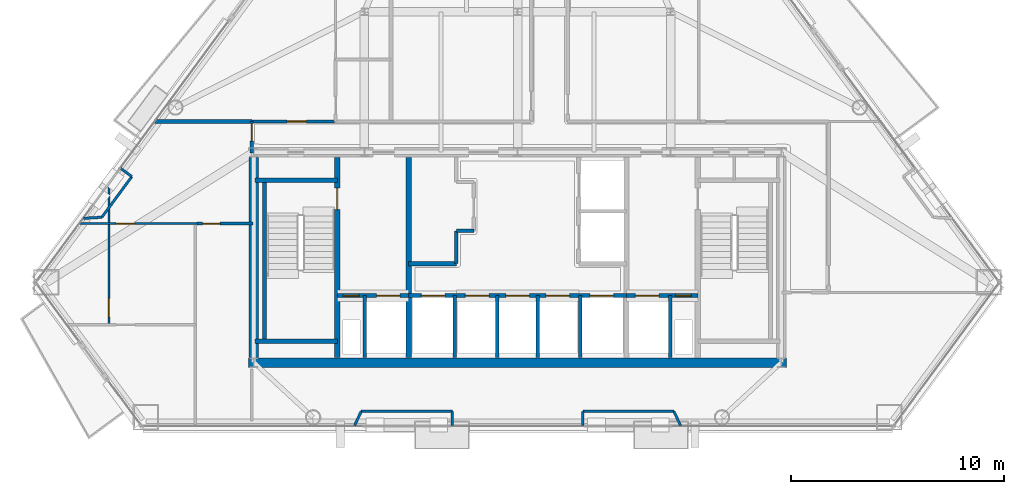
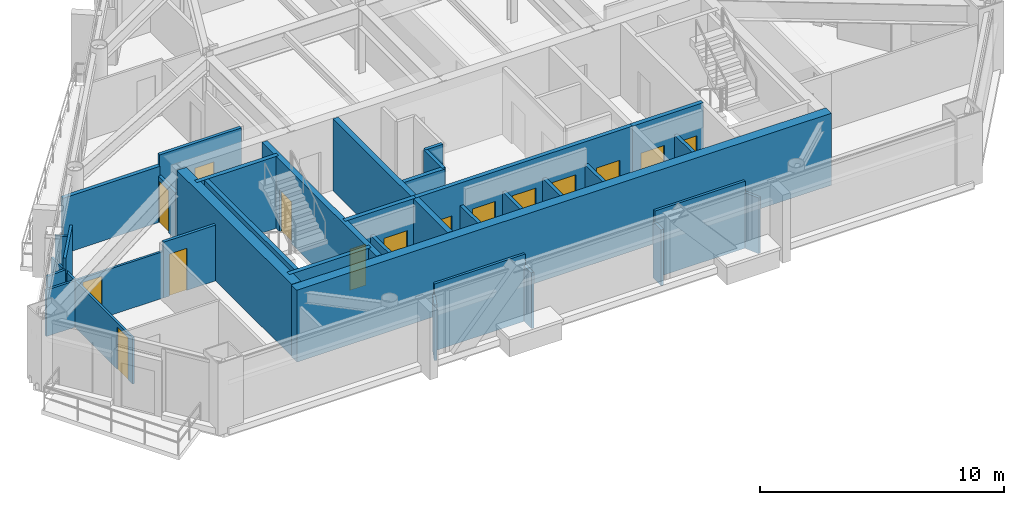
# One storey, part 7 of 11: 34 walls, 15 doors, 15 openings.
"""IFC4 building model written with IfcOpenShell, lengths in metres."""

from ifc_helpers import new_model, si_unit, direction, frame, frame_2d, origin, place, context, subcontext, project, spatial, rectangle, extrude, material, layer, layer_set, type_object, element, fill, save


model = new_model("IFC4")

# Units and contexts
model_context = context("Model", 3, precision=1e-05, world=origin(), true_north=direction((0.0, 1.0)))
body_context = subcontext(model_context, "Body", "Model", "MODEL_VIEW")
ifc_project = project(units=[si_unit("LENGTHUNIT", "METRE"), si_unit("AREAUNIT", "SQUARE_METRE"), si_unit("VOLUMEUNIT", "CUBIC_METRE"), si_unit("PLANEANGLEUNIT", "RADIAN"), si_unit("MASSUNIT", "GRAM", prefix="KILO")], contexts=[model_context])

# Site, building, storey
site_placement = place(None, origin())
site = spatial("IfcSite", under=ifc_project, at=site_placement, CompositionType="ELEMENT")
building_placement = place(site_placement, origin())
building = spatial("IfcBuilding", under=site, at=building_placement, Name="Talgorran Terracotta Tower", CompositionType="ELEMENT")
storey_placement = place(building_placement, frame((0.0, 0.0, 143.699951171875)))
storey = spatial("IfcBuildingStorey", under=building, at=storey_placement, Name="L37", CompositionType="ELEMENT", Elevation=143.699951171875)

# Walls
ifc_material_1 = material(Name="Concrete C50/60", Category="concrete")
ifc_layer_1 = layer(ifc_material_1, 0.199951171875, Name="WT_CORE_200")
ifc_layer_set_1 = layer_set([ifc_layer_1], Name="Concrete C50/60")
wall_type_1 = type_object("IfcWallType", Name="WT_CORE_200", PredefinedType="SOLIDWALL", material=ifc_layer_set_1)
for number, where, z_axis, x_axis, name in (
    (1, (-12.35009765625, -5.52001953125, 0.0), (0.0, 0.0, 1.0), (1.0, 0.0, 0.0), "WL-L37-CW-ST1-N"),
    (2, (-12.35009765625, -13.10009765625, 0.0), (0.0, 0.0, 1.0), (1.0, 0.0, 0.0), "WL-L37-CW-ST1-S"),
):
    element("IfcWall", number, at=place(storey_placement, frame(where, z_axis=z_axis, x_axis=x_axis)), inside=storey, type_object=wall_type_1, Name=name, PredefinedType="SOLIDWALL", context=body_context, shape_type="SweptSolid", body=[
        extrude(rectangle(XDim=3.8701171875, YDim=0.199951171875, at=frame_2d((1.93505859375, 0.0))), origin(), (0.0, 0.0, 1.0), 3.60009765625),
    ])
wall_1_placement = place(storey_placement, frame((-11.89990234375, -13.10009765625, 0.0), z_axis=(0.0, 0.0, 1.0), x_axis=(0.0, 1.0, 0.0)))
element("IfcWall", 3, at=wall_1_placement, inside=storey, type_object=wall_type_1, Name="WL-L37-CW-ST1-W", PredefinedType="SOLIDWALL", context=body_context, shape_type="SweptSolid", body=[
    extrude(rectangle(XDim=7.580078125, YDim=0.199951171875, at=frame_2d((3.7900390625, 0.0))), origin(), (0.0, 0.0, 1.0), 3.60009765625),
])

# Wall, openings, doors
wall_2_placement = place(storey_placement, frame((-8.47998046875, -10.949951171875, 0.0), z_axis=(0.0, 0.0, 1.0), x_axis=(1.0, 0.0, 0.0)))
wall_2 = element("IfcWall", 4, at=wall_2_placement, inside=storey, type_object=wall_type_1, Name="WL-L37-CW-H-SBW", PredefinedType="SOLIDWALL", context=body_context, shape_type="SweptSolid", body=[
    extrude(rectangle(XDim=3.35986328125, YDim=0.199951171875, at=frame_2d((1.679931640625, 0.0))), origin(), (0.0, 0.0, 1.0), 3.60009765625),
])
opening_1_placement = place(wall_2_placement, frame((0.280029296875, 0.0, 0.0)))
opening_1 = element("IfcOpeningElement", 5, at=opening_1_placement, cuts=wall_2, Name="Opening DR-RSW", PredefinedType="OPENING", context=body_context, shape_type="SweptSolid", body=[
    extrude(rectangle(XDim=0.756, YDim=2.054048828125, at=frame_2d((0.375, 1.027099609375))), frame((0.0, 0.10986328125, 0.0), z_axis=(0.0, -1.0, 0.0), x_axis=(1.0, 0.0, 0.0)), (0.0, 0.0, 1.0), 0.219970703125),
])
opening_2_placement = place(wall_2_placement, frame((1.85009765625, 0.0, 0.0)))
opening_2 = element("IfcOpeningElement", 6, at=opening_2_placement, cuts=wall_2, Name="Opening LD-FFL1", PredefinedType="OPENING", context=body_context, shape_type="SweptSolid", body=[
    extrude(rectangle(XDim=1.10609765625, YDim=2.10409765625, at=frame_2d((0.550048828125, 1.052001953125))), frame((0.0, 0.10986328125, 0.0), z_axis=(0.0, -1.0, 0.0), x_axis=(1.0, 0.0, 0.0)), (0.0, 0.0, 1.0), 0.219970703125),
])
ifc_material_2 = material(Name="Brushed Stainless Steel Grade 304", Category="steel")
door_type_1 = type_object("IfcDoorType", Name="DT_LIFT_LD1100", OperationType="DOUBLE_DOOR_SLIDING", PredefinedType="DOOR", material=ifc_material_2)
door_1_placement = place(opening_2_placement, origin())
door_1 = element("IfcDoor", 7, at=door_1_placement, inside=storey, type_object=door_type_1, Name="L37 Lift Landing Door LD-FFL1", OperationType="DOUBLE_DOOR_SLIDING", OverallHeight=2.10009765625, OverallWidth=1.10009765625, PredefinedType="DOOR", context=body_context, shape_type="SweptSolid", body=[
    extrude(rectangle(XDim=1.10009765625, YDim=2.10009765625, at=frame_2d((0.550048828125, 1.050048828125))), frame((0.0, 0.02490234375, 0.0), z_axis=(0.0, -1.0, 0.0), x_axis=(1.0, 0.0, 0.0)), (0.0, 0.0, 1.0), 0.050048828125),
])
fill(opening_2, door_1)
ifc_material_3 = material(Name="Fire-Rated Pressed Steel", Category="steel")
door_type_2 = type_object("IfcDoorType", Name="DT_RISER_750", OperationType="NOTDEFINED", PredefinedType="DOOR", material=ifc_material_3)
door_2_placement = place(opening_1_placement, origin())
door_2 = element("IfcDoor", 8, at=door_2_placement, inside=storey, type_object=door_type_2, Name="DR-RSW", OperationType="SINGLE_SWING_LEFT", OverallHeight=2.050048828125, OverallWidth=0.75, PredefinedType="DOOR", context=body_context, shape_type="SweptSolid", body=[
    extrude(rectangle(XDim=0.75, YDim=2.050048828125, at=frame_2d((0.375, 1.02490234375))), frame((0.0, 0.02490234375, 0.0), z_axis=(0.0, -1.0, 0.0), x_axis=(1.0, 0.0, 0.0)), (0.0, 0.0, 1.0), 0.050048828125),
])
fill(opening_1, door_2)

wall_3_placement = place(storey_placement, frame((-5.1201171875, -10.949951171875, 0.0), z_axis=(0.0, 0.0, 1.0), x_axis=(1.0, 0.0, 0.0)))
wall_3 = element("IfcWall", 9, at=wall_3_placement, inside=storey, type_object=wall_type_1, Name="WL-L37-CW-H-SBC", PredefinedType="SOLIDWALL", context=body_context, shape_type="SweptSolid", body=[
    extrude(rectangle(XDim=10.240234375, YDim=0.199951171875, at=frame_2d((5.1201171875, 0.0))), origin(), (0.0, 0.0, 1.0), 3.60009765625),
])
opening_3_placement = place(wall_3_placement, frame((0.60009765625, 0.0, 0.0)))
opening_3 = element("IfcOpeningElement", 10, at=opening_3_placement, cuts=wall_3, Name="Opening LD-OB1", PredefinedType="OPENING", context=body_context, shape_type="SweptSolid", body=[
    extrude(rectangle(XDim=1.10609765625, YDim=2.10409765625, at=frame_2d((0.550048828125, 1.052001953125))), frame((0.0, 0.10986328125, 0.0), z_axis=(0.0, -1.0, 0.0), x_axis=(1.0, 0.0, 0.0)), (0.0, 0.0, 1.0), 0.219970703125),
])
opening_4_placement = place(wall_3_placement, frame((2.669921875, 0.0, 0.0)))
opening_4 = element("IfcOpeningElement", 11, at=opening_4_placement, cuts=wall_3, Name="Opening LD-PLH1", PredefinedType="OPENING", context=body_context, shape_type="SweptSolid", body=[
    extrude(rectangle(XDim=1.10609765625, YDim=2.10409765625, at=frame_2d((0.550048828125, 1.052001953125))), frame((0.0, 0.10986328125, 0.0), z_axis=(0.0, -1.0, 0.0), x_axis=(1.0, 0.0, 0.0)), (0.0, 0.0, 1.0), 0.219970703125),
])
opening_5_placement = place(wall_3_placement, frame((4.570068359375, 0.0, 0.0)))
opening_5 = element("IfcOpeningElement", 12, at=opening_5_placement, cuts=wall_3, Name="Opening LD-PLH2", PredefinedType="OPENING", context=body_context, shape_type="SweptSolid", body=[
    extrude(rectangle(XDim=1.10609765625, YDim=2.10409765625, at=frame_2d((0.550048828125, 1.052001953125))), frame((0.0, 0.10986328125, 0.0), z_axis=(0.0, -1.0, 0.0), x_axis=(1.0, 0.0, 0.0)), (0.0, 0.0, 1.0), 0.219970703125),
])
opening_6_placement = place(wall_3_placement, frame((6.469970703125, 0.0, 0.0)))
opening_6 = element("IfcOpeningElement", 13, at=opening_6_placement, cuts=wall_3, Name="Opening LD-PLH3", PredefinedType="OPENING", context=body_context, shape_type="SweptSolid", body=[
    extrude(rectangle(XDim=1.10609765625, YDim=2.10409765625, at=frame_2d((0.550048828125, 1.052001953125))), frame((0.0, 0.10986328125, 0.0), z_axis=(0.0, -1.0, 0.0), x_axis=(1.0, 0.0, 0.0)), (0.0, 0.0, 1.0), 0.219970703125),
])
opening_7_placement = place(wall_3_placement, frame((8.5400390625, 0.0, 0.0)))
opening_7 = element("IfcOpeningElement", 14, at=opening_7_placement, cuts=wall_3, Name="Opening LD-SVL1", PredefinedType="OPENING", context=body_context, shape_type="SweptSolid", body=[
    extrude(rectangle(XDim=1.10609765625, YDim=2.10409765625, at=frame_2d((0.550048828125, 1.052001953125))), frame((0.0, 0.10986328125, 0.0), z_axis=(0.0, -1.0, 0.0), x_axis=(1.0, 0.0, 0.0)), (0.0, 0.0, 1.0), 0.219970703125),
])
door_3_placement = place(opening_3_placement, origin())
door_3 = element("IfcDoor", 15, at=door_3_placement, inside=storey, type_object=door_type_1, Name="L37 Lift Landing Door LD-OB1", OperationType="DOUBLE_DOOR_SLIDING", OverallHeight=2.10009765625, OverallWidth=1.10009765625, PredefinedType="DOOR", context=body_context, shape_type="SweptSolid", body=[
    extrude(rectangle(XDim=1.10009765625, YDim=2.10009765625, at=frame_2d((0.550048828125, 1.050048828125))), frame((0.0, 0.02490234375, 0.0), z_axis=(0.0, -1.0, 0.0), x_axis=(1.0, 0.0, 0.0)), (0.0, 0.0, 1.0), 0.050048828125),
])
fill(opening_3, door_3)
door_4_placement = place(opening_4_placement, origin())
door_4 = element("IfcDoor", 16, at=door_4_placement, inside=storey, type_object=door_type_1, Name="L37 Lift Landing Door LD-PLH1", OperationType="DOUBLE_DOOR_SLIDING", OverallHeight=2.10009765625, OverallWidth=1.10009765625, PredefinedType="DOOR", context=body_context, shape_type="SweptSolid", body=[
    extrude(rectangle(XDim=1.10009765625, YDim=2.10009765625, at=frame_2d((0.550048828125, 1.050048828125))), frame((0.0, 0.02490234375, 0.0), z_axis=(0.0, -1.0, 0.0), x_axis=(1.0, 0.0, 0.0)), (0.0, 0.0, 1.0), 0.050048828125),
])
fill(opening_4, door_4)
door_5_placement = place(opening_5_placement, origin())
door_5 = element("IfcDoor", 17, at=door_5_placement, inside=storey, type_object=door_type_1, Name="L37 Lift Landing Door LD-PLH2", OperationType="DOUBLE_DOOR_SLIDING", OverallHeight=2.10009765625, OverallWidth=1.10009765625, PredefinedType="DOOR", context=body_context, shape_type="SweptSolid", body=[
    extrude(rectangle(XDim=1.10009765625, YDim=2.10009765625, at=frame_2d((0.550048828125, 1.050048828125))), frame((0.0, 0.02490234375, 0.0), z_axis=(0.0, -1.0, 0.0), x_axis=(1.0, 0.0, 0.0)), (0.0, 0.0, 1.0), 0.050048828125),
])
fill(opening_5, door_5)
door_6_placement = place(opening_6_placement, origin())
door_6 = element("IfcDoor", 18, at=door_6_placement, inside=storey, type_object=door_type_1, Name="L37 Lift Landing Door LD-PLH3", OperationType="DOUBLE_DOOR_SLIDING", OverallHeight=2.10009765625, OverallWidth=1.10009765625, PredefinedType="DOOR", context=body_context, shape_type="SweptSolid", body=[
    extrude(rectangle(XDim=1.10009765625, YDim=2.10009765625, at=frame_2d((0.550048828125, 1.050048828125))), frame((0.0, 0.02490234375, 0.0), z_axis=(0.0, -1.0, 0.0), x_axis=(1.0, 0.0, 0.0)), (0.0, 0.0, 1.0), 0.050048828125),
])
fill(opening_6, door_6)
door_7_placement = place(opening_7_placement, origin())
door_7 = element("IfcDoor", 19, at=door_7_placement, inside=storey, type_object=door_type_1, Name="L37 Lift Landing Door LD-SVL1", OperationType="DOUBLE_DOOR_SLIDING", OverallHeight=2.10009765625, OverallWidth=1.10009765625, PredefinedType="DOOR", context=body_context, shape_type="SweptSolid", body=[
    extrude(rectangle(XDim=1.10009765625, YDim=2.10009765625, at=frame_2d((0.550048828125, 1.050048828125))), frame((0.0, 0.02490234375, 0.0), z_axis=(0.0, -1.0, 0.0), x_axis=(1.0, 0.0, 0.0)), (0.0, 0.0, 1.0), 0.050048828125),
])
fill(opening_7, door_7)

wall_4_placement = place(storey_placement, frame((5.1201171875, -10.949951171875, 0.0), z_axis=(0.0, 0.0, 1.0), x_axis=(1.0, 0.0, 0.0)))
wall_4 = element("IfcWall", 20, at=wall_4_placement, inside=storey, type_object=wall_type_1, Name="WL-L37-CW-H-SBE", PredefinedType="SOLIDWALL", context=body_context, shape_type="SweptSolid", body=[
    extrude(rectangle(XDim=3.35986328125, YDim=0.199951171875, at=frame_2d((1.679931640625, 0.0))), origin(), (0.0, 0.0, 1.0), 3.60009765625),
])
opening_8_placement = place(wall_4_placement, frame((0.419921875, 0.0, 0.0)))
opening_8 = element("IfcOpeningElement", 21, at=opening_8_placement, cuts=wall_4, Name="Opening LD-FFL2", PredefinedType="OPENING", context=body_context, shape_type="SweptSolid", body=[
    extrude(rectangle(XDim=1.10609765625, YDim=2.10409765625, at=frame_2d((0.550048828125, 1.052001953125))), frame((0.0, 0.10986328125, 0.0), z_axis=(0.0, -1.0, 0.0), x_axis=(1.0, 0.0, 0.0)), (0.0, 0.0, 1.0), 0.219970703125),
])
opening_9_placement = place(wall_4_placement, frame((2.300048828125, 0.0, 0.0)))
opening_9 = element("IfcOpeningElement", 22, at=opening_9_placement, cuts=wall_4, Name="Opening DR-RSE", PredefinedType="OPENING", context=body_context, shape_type="SweptSolid", body=[
    extrude(rectangle(XDim=0.756, YDim=2.054048828125, at=frame_2d((0.375, 1.027099609375))), frame((0.0, 0.10986328125, 0.0), z_axis=(0.0, -1.0, 0.0), x_axis=(1.0, 0.0, 0.0)), (0.0, 0.0, 1.0), 0.219970703125),
])
door_8_placement = place(opening_8_placement, origin())
door_8 = element("IfcDoor", 23, at=door_8_placement, inside=storey, type_object=door_type_1, Name="L37 Lift Landing Door LD-FFL2", OperationType="DOUBLE_DOOR_SLIDING", OverallHeight=2.10009765625, OverallWidth=1.10009765625, PredefinedType="DOOR", context=body_context, shape_type="SweptSolid", body=[
    extrude(rectangle(XDim=1.10009765625, YDim=2.10009765625, at=frame_2d((0.550048828125, 1.050048828125))), frame((0.0, 0.02490234375, 0.0), z_axis=(0.0, -1.0, 0.0), x_axis=(1.0, 0.0, 0.0)), (0.0, 0.0, 1.0), 0.050048828125),
])
fill(opening_8, door_8)
door_9_placement = place(opening_9_placement, origin())
door_9 = element("IfcDoor", 24, at=door_9_placement, inside=storey, type_object=door_type_2, Name="DR-RSE", OperationType="SINGLE_SWING_RIGHT", OverallHeight=2.050048828125, OverallWidth=0.75, PredefinedType="DOOR", context=body_context, shape_type="SweptSolid", body=[
    extrude(rectangle(XDim=0.75, YDim=2.050048828125, at=frame_2d((0.375, 1.02490234375))), frame((0.0, 0.02490234375, 0.0), z_axis=(0.0, -1.0, 0.0), x_axis=(1.0, 0.0, 0.0)), (0.0, 0.0, 1.0), 0.050048828125),
])
fill(opening_9, door_9)

# Wall
wall_5_placement = place(storey_placement, frame((-5.1201171875, -9.449951171875, 0.0), z_axis=(0.0, 0.0, 1.0), x_axis=(1.0, 0.0, 0.0)))
element("IfcWall", 25, at=wall_5_placement, inside=storey, type_object=wall_type_1, Name="WL-L37-CW-H-W4", PredefinedType="SOLIDWALL", context=body_context, shape_type="SweptSolid", body=[
    extrude(rectangle(XDim=2.240234375, YDim=0.199951171875, at=frame_2d((1.1201171875, 0.0))), origin(), (0.0, 0.0, 1.0), 3.35009765625),
])

# Wall, opening, door
ifc_layer_2 = layer(ifc_material_1, 0.25, Name="WT_CORE_250")
ifc_layer_set_2 = layer_set([ifc_layer_2], Name="Concrete C50/60")
wall_type_2 = type_object("IfcWallType", Name="WT_CORE_250", PredefinedType="SHEAR", material=ifc_layer_set_2)
wall_6_placement = place(storey_placement, frame((-8.47998046875, -13.85009765625, 0.0), z_axis=(0.0, 0.0, 1.0), x_axis=(0.0, 1.0, 0.0)))
wall_6 = element("IfcWall", 26, at=wall_6_placement, inside=storey, type_object=wall_type_2, Name="WL-L37-CW-V-W1", PredefinedType="SHEAR", context=body_context, shape_type="SweptSolid", body=[
    extrude(rectangle(XDim=9.400146484375, YDim=0.25, at=frame_2d((4.7001953125, 0.0))), origin(), (0.0, 0.0, 1.0), 3.60009765625),
])
opening_10_placement = place(wall_6_placement, frame((6.949951171875, 0.0, 0.0)))
opening_10 = element("IfcOpeningElement", 27, at=opening_10_placement, cuts=wall_6, Name="Opening DR-ST01", PredefinedType="OPENING", context=body_context, shape_type="SweptSolid", body=[
    extrude(rectangle(XDim=1.006, YDim=2.10409765625, at=frame_2d((0.5, 1.052001953125))), frame((0.0, 0.135009765625, 0.0), z_axis=(0.0, -1.0, 0.0), x_axis=(1.0, 0.0, 0.0)), (0.0, 0.0, 1.0), 0.27001953125),
])
door_type_3 = type_object("IfcDoorType", Name="DT_FIRE_1000", OperationType="NOTDEFINED", PredefinedType="DOOR", material=ifc_material_3)
door_10_placement = place(opening_10_placement, origin())
door_10 = element("IfcDoor", 28, at=door_10_placement, inside=storey, type_object=door_type_3, Name="DR-ST01", OperationType="SINGLE_SWING_LEFT", OverallHeight=2.10009765625, OverallWidth=1.0, PredefinedType="DOOR", context=body_context, shape_type="SweptSolid", body=[
    extrude(rectangle(XDim=1.0, YDim=2.10009765625, at=frame_2d((0.5, 1.050048828125))), frame((0.0, 0.02490234375, 0.0), z_axis=(0.0, -1.0, 0.0), x_axis=(1.0, 0.0, 0.0)), (0.0, 0.0, 1.0), 0.050048828125),
])
fill(opening_10, door_10)

# Walls
wall_7_placement = place(storey_placement, frame((-5.1201171875, -13.85009765625, 0.0), z_axis=(0.0, 0.0, 1.0), x_axis=(0.0, 1.0, 0.0)))
element("IfcWall", 29, at=wall_7_placement, inside=storey, type_object=wall_type_2, Name="WL-L37-CW-V-W2", PredefinedType="SHEAR", context=body_context, shape_type="SweptSolid", body=[
    extrude(rectangle(XDim=9.400146484375, YDim=0.25, at=frame_2d((4.7001953125, 0.0))), origin(), (0.0, 0.0, 1.0), 3.60009765625),
])
ifc_material_4 = material(Name="Concrete C65/80", Category="concrete")
ifc_layer_3 = layer(ifc_material_4, 0.449951171875, Name="WT_CORE_EXT")
ifc_layer_set_3 = layer_set([ifc_layer_3], Name="Concrete C65/80")
wall_type_3 = type_object("IfcWallType", Name="WT_CORE_EXT", PredefinedType="SHEAR", material=ifc_layer_set_3)
wall_8_placement = place(storey_placement, frame((-12.64990234375, -14.10009765625, 0.0), z_axis=(0.0, 0.0, 1.0), x_axis=(1.0, 0.0, 0.0)))
element("IfcWall", 30, at=wall_8_placement, inside=storey, type_object=wall_type_3, Name="WL-L37-CW-OUT-S", PredefinedType="SHEAR", context=body_context, shape_type="SweptSolid", body=[
    extrude(rectangle(XDim=25.2998046875, YDim=0.449951171875, at=frame_2d((12.64990234375, 0.0))), origin(), (0.0, 0.0, 1.0), 3.60009765625),
])
wall_9_placement = place(storey_placement, frame((-12.39990234375, -13.85009765625, 0.0), z_axis=(0.0, 0.0, 1.0), x_axis=(0.0, 1.0, 0.0)))
element("IfcWall", 31, at=wall_9_placement, inside=storey, type_object=wall_type_3, Name="WL-L37-CW-OUT-W", PredefinedType="SHEAR", context=body_context, shape_type="SweptSolid", body=[
    extrude(rectangle(XDim=9.400146484375, YDim=0.449951171875, at=frame_2d((4.7001953125, 0.0))), origin(), (0.0, 0.0, 1.0), 3.60009765625),
])
ifc_material_5 = material(Name="Fire-Rated Steel Stud Plasterboard", Category="steel")
ifc_layer_4 = layer(ifc_material_5, 0.14990234375, Name="WT_FIRE_150")
ifc_layer_set_4 = layer_set([ifc_layer_4], Name="Fire-Rated Steel Stud Plasterboard")
wall_type_4 = type_object("IfcWallType", Name="WT_FIRE_150", PredefinedType="PARTITIONING", material=ifc_layer_set_4)
wall_10_placement = place(storey_placement, frame((-2.8798828125, -9.449951171875, 0.0), z_axis=(0.0, 0.0, 1.0), x_axis=(0.0, 1.0, 0.0)))
element("IfcWall", 32, at=wall_10_placement, inside=storey, type_object=wall_type_4, Name="WL-L37-CW-V-W3A", PredefinedType="PARTITIONING", context=body_context, shape_type="SweptSolid", body=[
    extrude(rectangle(XDim=1.550048828125, YDim=0.14990234375, at=frame_2d((0.77490234375, 0.0))), origin(), (0.0, 0.0, 1.0), 3.35009765625),
])
wall_11_placement = place(storey_placement, frame((-2.8798828125, -7.89990234375, 0.0), z_axis=(0.0, 0.0, 1.0), x_axis=(1.0, 0.0, 0.0)))
element("IfcWall", 33, at=wall_11_placement, inside=storey, type_object=wall_type_4, Name="WL-L37-CW-H-W3B", PredefinedType="PARTITIONING", context=body_context, shape_type="SweptSolid", body=[
    extrude(rectangle(XDim=0.81982421875, YDim=0.14990234375, at=frame_2d((0.409912109375, 0.0))), origin(), (0.0, 0.0, 1.0), 3.35009765625),
])

# Wall, opening, door
wall_12_placement = place(storey_placement, frame((-12.5, -2.760009765625, 0.0), z_axis=(0.0, 0.0, 1.0), x_axis=(1.0, 0.0, 0.0)))
wall_12 = element("IfcWall", 34, at=wall_12_placement, inside=storey, type_object=wall_type_4, Name="WL-L37-W-L37-R08", PredefinedType="PARTITIONING", context=body_context, shape_type="SweptSolid", body=[
    extrude(rectangle(XDim=3.8779296875, YDim=0.14990234375, at=frame_2d((1.93896484375, 0.0))), origin(), (0.0, 0.0, 1.0), 3.35009765625),
])
opening_11_placement = place(wall_12_placement, frame((1.669189453125, 0.0, 0.0)))
opening_11 = element("IfcOpeningElement", 35, at=opening_11_placement, cuts=wall_12, Name="Opening DR-L37-R10", PredefinedType="OPENING", context=body_context, shape_type="SweptSolid", body=[
    extrude(rectangle(XDim=0.90590234375, YDim=2.10409765625, at=frame_2d((0.449951171875, 1.052001953125))), frame((0.0, 0.0849609375, 0.0), z_axis=(0.0, -1.0, 0.0), x_axis=(1.0, 0.0, 0.0)), (0.0, 0.0, 1.0), 0.169921875),
])
ifc_material_6 = material(Name="Fire-Rated Timber Core", Category="wood")
door_type_4 = type_object("IfcDoorType", Name="DT_FIRE_900", OperationType="NOTDEFINED", PredefinedType="DOOR", material=ifc_material_6)
door_11_placement = place(opening_11_placement, origin())
door_11 = element("IfcDoor", 36, at=door_11_placement, inside=storey, type_object=door_type_4, Name="DR-L37-R10", OperationType="SINGLE_SWING_RIGHT", OverallHeight=2.10009765625, OverallWidth=0.89990234375, PredefinedType="DOOR", context=body_context, shape_type="SweptSolid", body=[
    extrude(rectangle(XDim=0.89990234375, YDim=2.10009765625, at=frame_2d((0.449951171875, 1.050048828125))), frame((0.0, 0.02490234375, 0.0), z_axis=(0.0, -1.0, 0.0), x_axis=(1.0, 0.0, 0.0)), (0.0, 0.0, 1.0), 0.050048828125),
])
fill(opening_11, door_11)

wall_13_placement = place(storey_placement, frame((-12.5, -4.239990234375, 0.0), z_axis=(0.0, 0.0, 1.0), x_axis=(0.0, 1.0, 0.0)))
wall_13 = element("IfcWall", 37, at=wall_13_placement, inside=storey, type_object=wall_type_4, Name="WL-L37-W-L37-R01", PredefinedType="PARTITIONING", context=body_context, shape_type="SweptSolid", body=[
    extrude(rectangle(XDim=1.47998046875, YDim=0.14990234375, at=frame_2d((0.739990234375, 0.0))), origin(), (0.0, 0.0, 1.0), 2.324951171875),
])
opening_12_placement = place(wall_13_placement, frame((0.56005859375, 0.0, 0.0)))
opening_12 = element("IfcOpeningElement", 38, at=opening_12_placement, cuts=wall_13, Name="Opening DR-L37-R01", PredefinedType="OPENING", context=body_context, shape_type="SweptSolid", body=[
    extrude(rectangle(XDim=0.826068359375, YDim=2.10409765625, at=frame_2d((0.41015625, 1.052001953125))), frame((0.0, 0.0849609375, 0.0), z_axis=(0.0, -1.0, 0.0), x_axis=(1.0, 0.0, 0.0)), (0.0, 0.0, 1.0), 0.169921875),
])
ifc_material_7 = material(Name="Moisture-Resistant Solid Timber", Category="wood")
door_type_5 = type_object("IfcDoorType", Name="DT_INT_820", OperationType="NOTDEFINED", PredefinedType="DOOR", material=ifc_material_7)
door_12_placement = place(opening_12_placement, origin())
door_12 = element("IfcDoor", 39, at=door_12_placement, inside=storey, type_object=door_type_5, Name="DR-L37-R01", OperationType="SINGLE_SWING_LEFT", OverallHeight=2.10009765625, OverallWidth=0.820068359375, PredefinedType="DOOR", context=body_context, shape_type="SweptSolid", body=[
    extrude(rectangle(XDim=0.820068359375, YDim=2.10009765625, at=frame_2d((0.41015625, 1.050048828125))), frame((0.0, 0.02490234375, 0.0), z_axis=(0.0, -1.0, 0.0), x_axis=(1.0, 0.0, 0.0)), (0.0, 0.0, 1.0), 0.050048828125),
])
fill(opening_12, door_12)

# Wall
ifc_material_8 = material(Name="Acoustic Stud and Plasterboard")
ifc_layer_5 = layer(ifc_material_8, 0.179931640625, Name="WT_PARTY_200")
ifc_layer_set_5 = layer_set([ifc_layer_5], Name="Acoustic Stud and Plasterboard")
wall_type_5 = type_object("IfcWallType", Name="WT_PARTY_200", PredefinedType="PARTITIONING", material=ifc_layer_set_5)
wall_14_placement = place(storey_placement, frame((-17.073974609375, -2.760009765625, 0.0), z_axis=(0.0, 0.0, 1.0), x_axis=(1.0, 0.0, 0.0)))
element("IfcWall", 40, at=wall_14_placement, inside=storey, type_object=wall_type_5, Name="WL-L37-W-L37-R17", PredefinedType="PARTITIONING", context=body_context, shape_type="SweptSolid", body=[
    extrude(rectangle(XDim=4.573974609375, YDim=0.179931640625, at=frame_2d((2.287109375, 0.0))), origin(), (0.0, 0.0, 1.0), 2.7919921875),
])

# Wall, opening, door
ifc_material_9 = material(Name="Lightweight Steel Stud Partition", Category="steel")
ifc_layer_6 = layer(ifc_material_9, 0.10498046875, Name="WT_PART_110")
ifc_layer_set_6 = layer_set([ifc_layer_6], Name="Lightweight Steel Stud Partition")
wall_type_6 = type_object("IfcWallType", Name="WT_PART_110", PredefinedType="PARTITIONING", material=ifc_layer_set_6)
wall_15_placement = place(storey_placement, frame((-19.219970703125, -12.320068359375, 0.0), z_axis=(0.0, 0.0, 1.0), x_axis=(0.0, 1.0, 0.0)))
wall_15 = element("IfcWall", 41, at=wall_15_placement, inside=storey, type_object=wall_type_6, Name="WL-L37-W-L37-R21", PredefinedType="PARTITIONING", context=body_context, shape_type="SweptSolid", body=[
    extrude(rectangle(XDim=6.654296875, YDim=0.10498046875, at=frame_2d((3.3271484375, 0.0))), origin(), (0.0, 0.0, 1.0), 2.324951171875),
])
opening_13_placement = place(wall_15_placement, frame((0.357421875, 0.0, 0.0)))
opening_13 = element("IfcOpeningElement", 42, at=opening_13_placement, cuts=wall_15, Name="Opening DR-L37-R04", PredefinedType="OPENING", context=body_context, shape_type="SweptSolid", body=[
    extrude(rectangle(XDim=0.8858828125, YDim=2.10409765625, at=frame_2d((0.43994140625, 1.052001953125))), frame((0.0, 0.0625, 0.0), z_axis=(0.0, -1.0, 0.0), x_axis=(1.0, 0.0, 0.0)), (0.0, 0.0, 1.0), 0.125),
])
ifc_material_10 = material(Name="Solid-Core Painted Timber", Category="wood")
door_type_6 = type_object("IfcDoorType", Name="DT_INT_880", OperationType="NOTDEFINED", PredefinedType="DOOR", material=ifc_material_10)
door_13_placement = place(opening_13_placement, origin())
door_13 = element("IfcDoor", 43, at=door_13_placement, inside=storey, type_object=door_type_6, Name="DR-L37-R04", OperationType="SINGLE_SWING_RIGHT", OverallHeight=2.10009765625, OverallWidth=0.8798828125, PredefinedType="DOOR", context=body_context, shape_type="SweptSolid", body=[
    extrude(rectangle(XDim=0.8798828125, YDim=2.10009765625, at=frame_2d((0.43994140625, 1.050048828125))), frame((0.0, 0.02490234375, 0.0), z_axis=(0.0, -1.0, 0.0), x_axis=(1.0, 0.0, 0.0)), (0.0, 0.0, 1.0), 0.050048828125),
])
fill(opening_13, door_13)

wall_16_placement = place(storey_placement, frame((-20.618896484375, -7.56005859375, 0.0), z_axis=(0.0, 0.0, 1.0), x_axis=(1.0, 0.0, 0.0)))
wall_16 = element("IfcWall", 44, at=wall_16_placement, inside=storey, type_object=wall_type_6, Name="WL-L37-W-L37-R16", PredefinedType="PARTITIONING", context=body_context, shape_type="SweptSolid", body=[
    extrude(rectangle(XDim=5.538818359375, YDim=0.10498046875, at=frame_2d((2.76953125, 0.0))), origin(), (0.0, 0.0, 1.0), 2.324951171875),
])
opening_14_placement = place(wall_16_placement, frame((1.7353515625, 0.0, 0.0)))
opening_14 = element("IfcOpeningElement", 45, at=opening_14_placement, cuts=wall_16, Name="Opening DR-L37-R15", PredefinedType="OPENING", context=body_context, shape_type="SweptSolid", body=[
    extrude(rectangle(XDim=0.8858828125, YDim=2.10409765625, at=frame_2d((0.43994140625, 1.052001953125))), frame((0.0, 0.0625, 0.0), z_axis=(0.0, -1.0, 0.0), x_axis=(1.0, 0.0, 0.0)), (0.0, 0.0, 1.0), 0.125),
])
door_14_placement = place(opening_14_placement, origin())
door_14 = element("IfcDoor", 46, at=door_14_placement, inside=storey, type_object=door_type_6, Name="DR-L37-R15", OperationType="SINGLE_SWING_LEFT", OverallHeight=2.10009765625, OverallWidth=0.8798828125, PredefinedType="DOOR", context=body_context, shape_type="SweptSolid", body=[
    extrude(rectangle(XDim=0.8798828125, YDim=2.10009765625, at=frame_2d((0.43994140625, 1.050048828125))), frame((0.0, 0.02490234375, 0.0), z_axis=(0.0, -1.0, 0.0), x_axis=(1.0, 0.0, 0.0)), (0.0, 0.0, 1.0), 0.050048828125),
])
fill(opening_14, door_14)

# Walls
ifc_material_11 = material(Name="Insulated Steel Stud Plasterboard", Category="steel")
ifc_layer_7 = layer(ifc_material_11, 0.1201171875, Name="WT_PART_120")
ifc_layer_set_7 = layer_set([ifc_layer_7], Name="Insulated Steel Stud Plasterboard")
wall_type_7 = type_object("IfcWallType", Name="WT_PART_120", PredefinedType="PARTITIONING", material=ifc_layer_set_7)
for number, where, z_axis, x_axis, name in (
    (47, (-7.352783203125, -16.394287109375, 0.0), (0.0, 0.0, 1.0), (1.0, 0.0, 0.0), "WL-L37-BW-L37-01"),
    (48, (3.069580078125, -16.394287109375, 0.0), (0.0, 0.0, 1.0), (1.0, 0.0, 0.0), "WL-L37-BW-L37-06"),
):
    element("IfcWall", number, at=place(storey_placement, frame(where, z_axis=z_axis, x_axis=x_axis)), inside=storey, type_object=wall_type_7, Name=name, PredefinedType="PARTITIONING", context=body_context, shape_type="SweptSolid", body=[
        extrude(rectangle(XDim=4.283203125, YDim=0.1201171875, at=frame_2d((2.1416015625, 0.0))), origin(), (0.0, 0.0, 1.0), 3.35009765625),
    ])
wall_17_placement = place(storey_placement, frame((-18.142333984375, -5.351318359375, 0.0), z_axis=(0.0, 0.0, 1.0), x_axis=(-0.594168747529, -0.804340412674, 0.0)))
element("IfcWall", 49, at=wall_17_placement, inside=storey, type_object=wall_type_7, Name="WL-L37-BW-L37-08", PredefinedType="PARTITIONING", context=body_context, shape_type="SweptSolid", body=[
    extrude(rectangle(XDim=2.3779296875, YDim=0.1201171875, at=frame_2d((1.18896484375, 0.0))), origin(), (0.0, 0.0, 1.0), 3.35009765625),
])
wall_18_placement = place(storey_placement, frame((-19.55517578125, -7.263916015625, 0.0), z_axis=(0.0, 0.0, 1.0), x_axis=(-0.998331873932, -0.057736206072, 0.0)))
element("IfcWall", 50, at=wall_18_placement, inside=storey, type_object=wall_type_7, Name="WL-L37-BW-L37-09", PredefinedType="PARTITIONING", context=body_context, shape_type="SweptSolid", body=[
    extrude(rectangle(XDim=0.87109375, YDim=0.1201171875, at=frame_2d((0.435546875, 0.0))), origin(), (0.0, 0.0, 1.0), 2.7919921875),
])
for number, where, z_axis, x_axis, name in (
    (51, (-7.668212890625, -17.064453125, 0.0), (0.0, 0.0, 1.0), (0.425860530217, 0.904788820004, 0.0), "WL-L37-BW-L37-03"),
    (52, (7.352783203125, -16.394287109375, 0.0), (0.0, 0.0, 1.0), (0.425860530217, -0.904788820004, 0.0), "WL-L37-BW-L37-04"),
):
    element("IfcWall", number, at=place(storey_placement, frame(where, z_axis=z_axis, x_axis=x_axis)), inside=storey, type_object=wall_type_7, Name=name, PredefinedType="PARTITIONING", context=body_context, shape_type="SweptSolid", body=[
        extrude(rectangle(XDim=0.74072265625, YDim=0.1201171875, at=frame_2d((0.370361328125, 0.0))), origin(), (0.0, 0.0, 1.0), 2.7919921875),
    ])
wall_19_placement = place(storey_placement, frame((-18.68115234375, -4.953125, 0.0), z_axis=(0.0, 0.0, 1.0), x_axis=(0.804221577226, -0.594329584257, 0.0)))
element("IfcWall", 53, at=wall_19_placement, inside=storey, type_object=wall_type_7, Name="WL-L37-BW-L37-07", PredefinedType="PARTITIONING", context=body_context, shape_type="SweptSolid", body=[
    extrude(rectangle(XDim=0.669921875, YDim=0.1201171875, at=frame_2d((0.3349609375, 0.0))), origin(), (0.0, 0.0, 1.0), 2.7919921875),
])
for number, where, z_axis, x_axis, name in (
    (54, (-3.069580078125, -16.394287109375, 0.0), (0.0, 0.0, 1.0), (0.0, -1.0, 0.0), "WL-L37-BW-L37-02"),
    (55, (3.069580078125, -17.064453125, 0.0), (0.0, 0.0, 1.0), (0.0, 1.0, 0.0), "WL-L37-BW-L37-05"),
):
    element("IfcWall", number, at=place(storey_placement, frame(where, z_axis=z_axis, x_axis=x_axis)), inside=storey, type_object=wall_type_7, Name=name, PredefinedType="PARTITIONING", context=body_context, shape_type="SweptSolid", body=[
        extrude(rectangle(XDim=0.670166015625, YDim=0.1201171875, at=frame_2d((0.3349609375, 0.0))), origin(), (0.0, 0.0, 1.0), 2.7919921875),
    ])

# Wall, opening, door
ifc_material_12 = material(Name="Moisture-Resistant Stud Wall")
ifc_layer_8 = layer(ifc_material_12, 0.135009765625, Name="WT_PART_135")
ifc_layer_set_8 = layer_set([ifc_layer_8], Name="Moisture-Resistant Stud Wall")
wall_type_8 = type_object("IfcWallType", Name="WT_PART_135", PredefinedType="PARTITIONING", material=ifc_layer_set_8)
wall_20_placement = place(storey_placement, frame((-15.077880859375, -7.56005859375, 0.0), z_axis=(0.0, 0.0, 1.0), x_axis=(1.0, 0.0, 0.0)))
wall_20 = element("IfcWall", 56, at=wall_20_placement, inside=storey, type_object=wall_type_8, Name="WL-L37-W-L37-R14", PredefinedType="PARTITIONING", context=body_context, shape_type="SweptSolid", body=[
    extrude(rectangle(XDim=2.637939453125, YDim=0.135009765625, at=frame_2d((1.31884765625, 0.0))), origin(), (0.0, 0.0, 1.0), 2.7919921875),
])
opening_15_placement = place(wall_20_placement, frame((0.2705078125, 0.0, 0.0)))
opening_15 = element("IfcOpeningElement", 57, at=opening_15_placement, cuts=wall_20, Name="Opening DR-L37-R02", PredefinedType="OPENING", context=body_context, shape_type="SweptSolid", body=[
    extrude(rectangle(XDim=0.826068359375, YDim=2.10409765625, at=frame_2d((0.41015625, 1.052001953125))), frame((0.0, 0.07763671875, 0.0), z_axis=(0.0, -1.0, 0.0), x_axis=(1.0, 0.0, 0.0)), (0.0, 0.0, 1.0), 0.155029296875),
])
door_15_placement = place(opening_15_placement, origin())
door_15 = element("IfcDoor", 58, at=door_15_placement, inside=storey, type_object=door_type_5, Name="DR-L37-R02", OperationType="SINGLE_SWING_RIGHT", OverallHeight=2.10009765625, OverallWidth=0.820068359375, PredefinedType="DOOR", context=body_context, shape_type="SweptSolid", body=[
    extrude(rectangle(XDim=0.820068359375, YDim=2.10009765625, at=frame_2d((0.41015625, 1.050048828125))), frame((0.0, 0.02490234375, 0.0), z_axis=(0.0, -1.0, 0.0), x_axis=(1.0, 0.0, 0.0)), (0.0, 0.0, 1.0), 0.050048828125),
])
fill(opening_15, door_15)

# Walls
ifc_material_13 = material(Name="Fire-Rated Shaftwall")
ifc_layer_9 = layer(ifc_material_13, 0.159912109375, Name="WT_PART_150")
ifc_layer_set_9 = layer_set([ifc_layer_9], Name="Fire-Rated Shaftwall")
wall_type_9 = type_object("IfcWallType", Name="WT_PART_150", PredefinedType="PARTITIONING", material=ifc_layer_set_9)
for number, where, z_axis, x_axis, name in (
    (59, (-7.179931640625, -13.85009765625, 0.0), (0.0, 0.0, 1.0), (0.0, 1.0, 0.0), "WL-L37-CW-RSW"),
    (60, (7.179931640625, -13.85009765625, 0.0), (0.0, 0.0, 1.0), (0.0, 1.0, 0.0), "WL-L37-CW-RSE"),
    (61, (-2.949951171875, -13.85009765625, 0.0), (0.0, 0.0, 1.0), (0.0, 1.0, 0.0), "WL-L37-CW-OB-E"),
    (62, (2.949951171875, -13.85009765625, 0.0), (0.0, 0.0, 1.0), (0.0, 1.0, 0.0), "WL-L37-CW-SV-W"),
    (63, (-0.949951171875, -13.85009765625, 0.0), (0.0, 0.0, 1.0), (0.0, 1.0, 0.0), "WL-L37-CW-PLH-D1"),
    (64, (0.949951171875, -13.85009765625, 0.0), (0.0, 0.0, 1.0), (0.0, 1.0, 0.0), "WL-L37-CW-PLH-D2"),
):
    element("IfcWall", number, at=place(storey_placement, frame(where, z_axis=z_axis, x_axis=x_axis)), inside=storey, type_object=wall_type_9, Name=name, PredefinedType="PARTITIONING", context=body_context, shape_type="SweptSolid", body=[
        extrude(rectangle(XDim=2.900146484375, YDim=0.159912109375, at=frame_2d((1.4501953125, 0.0))), origin(), (0.0, 0.0, 1.0), 2.47509765625),
    ])

save(model, "model.ifc")
